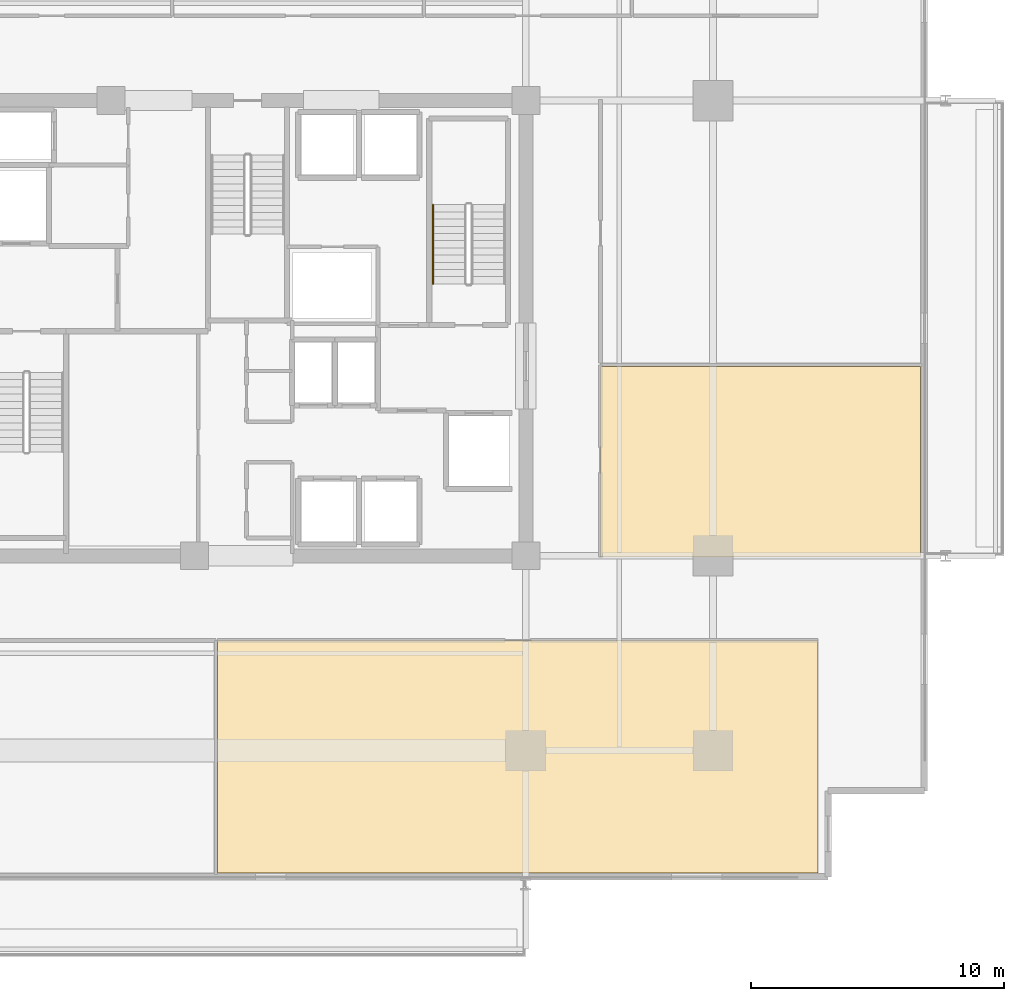
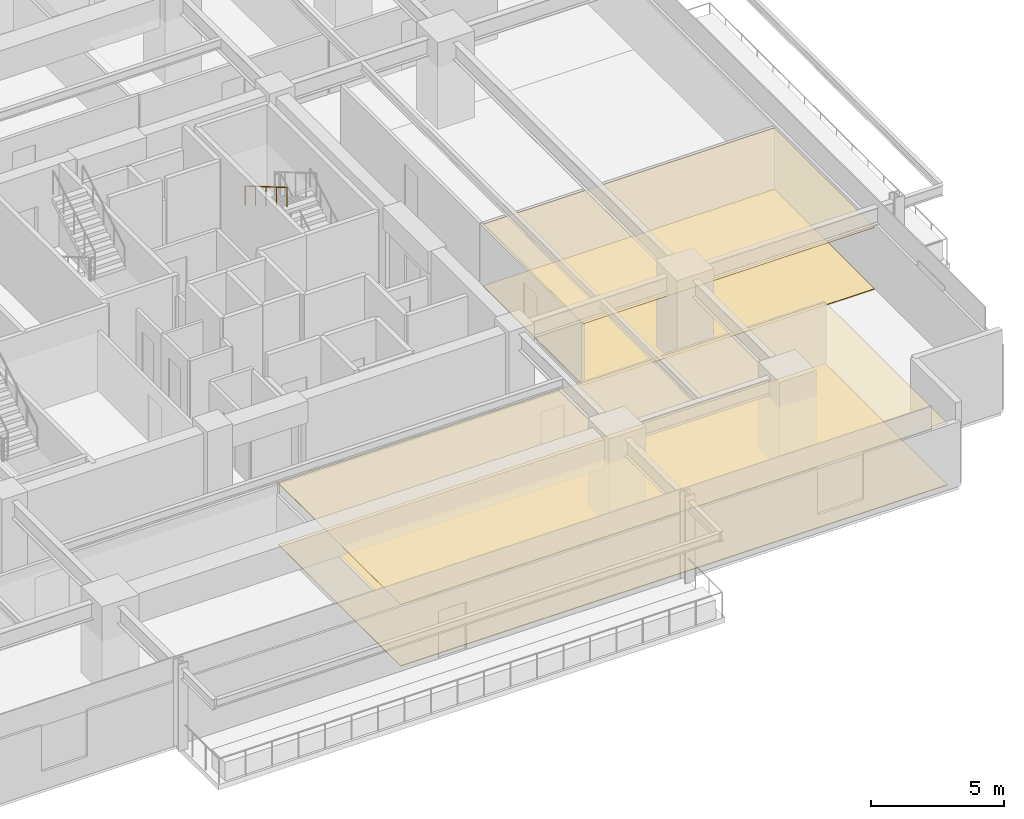
# One storey, part 19 of 21: 4 coverings, 1 railing.
"""IFC4 building model written with IfcOpenShell, lengths in metres."""

from ifc_helpers import new_model, si_unit, direction, frame, origin, origin_2d, place, context, subcontext, project, spatial, polyline, circle, outline, extrude, material, layer, layer_set, type_object, element, save


model = new_model("IFC4")

# Units and contexts
model_context = context("Model", 3, precision=1e-05, world=origin(), true_north=direction((0.0, 1.0)))
body_context = subcontext(model_context, "Body", "Model", "MODEL_VIEW")
ifc_project = project(units=[si_unit("LENGTHUNIT", "METRE"), si_unit("AREAUNIT", "SQUARE_METRE"), si_unit("VOLUMEUNIT", "CUBIC_METRE"), si_unit("PLANEANGLEUNIT", "RADIAN"), si_unit("MASSUNIT", "GRAM", prefix="KILO")], contexts=[model_context])

# Site, building, storey
site_placement = place(None, origin())
site = spatial("IfcSite", under=ifc_project, at=site_placement, CompositionType="ELEMENT")
building_placement = place(site_placement, origin())
building = spatial("IfcBuilding", under=site, at=building_placement, Name="Kovane Verandah Tower", CompositionType="ELEMENT")
storey_placement = place(building_placement, frame((0.0, 0.0, 176.39990234375)))
storey = spatial("IfcBuildingStorey", under=building, at=storey_placement, Name="L41", CompositionType="ELEMENT", Elevation=176.39990234375)

# Coverings
ifc_material_1 = material(Name="Perforated Acoustic Mineral-Fibre Ceiling Tile", Category="gypsum")
ifc_layer_1 = layer(ifc_material_1, 0.02490234375)
ifc_layer_set_1 = layer_set([ifc_layer_1], Name="Perforated Acoustic Mineral-Fibre Ceiling Tile")
covering_type_1 = type_object("IfcCoveringType", Name="CV-CEIL-25", PredefinedType="CEILING", material=ifc_layer_set_1)
covering_1_placement = place(storey_placement, frame((0.0, 0.0, 2.8251953125)))
element("IfcCovering", 1, at=covering_1_placement, inside=storey, type_object=covering_type_1, Name="L41 Meeting Room S2 Acoustic Ceiling", PredefinedType="CEILING", context=body_context, shape_type="SweptSolid", body=[
    extrude(outline(polyline([(38.8154296875, 5.955078125), (62.5556640625, 5.955078125), (62.5556640625, 15.14990234375), (38.8154296875, 15.14990234375), (38.8154296875, 5.955078125)])), origin(), (0.0, 0.0, 1.0), 0.02490234375),
])
covering_2_placement = place(storey_placement, frame((0.0, 0.0, 2.8251953125)))
element("IfcCovering", 2, at=covering_2_placement, inside=storey, type_object=covering_type_1, Name="L41 Breakout Pantry E1 Acoustic Ceiling", PredefinedType="CEILING", context=body_context, shape_type="SweptSolid", body=[
    extrude(outline(polyline([(53.949951171875, 18.449951171875), (66.605712890625, 18.449951171875), (66.605712890625, 25.98193359375), (53.949951171875, 25.98193359375), (53.949951171875, 18.449951171875)])), origin(), (0.0, 0.0, 1.0), 0.02490234375),
])
ifc_material_2 = material(Name="Polished Terrazzo and Raised-Access Carpet Tile Finish", Category="concrete")
ifc_layer_2 = layer(ifc_material_2, 0.030029296875)
ifc_layer_set_2 = layer_set([ifc_layer_2], Name="Polished Terrazzo and Raised-Access Carpet Tile Finish")
covering_type_2 = type_object("IfcCoveringType", Name="CV-FLOR-30", PredefinedType="FLOORING", material=ifc_layer_set_2)
covering_3_placement = place(storey_placement, origin())
element("IfcCovering", 3, at=covering_3_placement, inside=storey, type_object=covering_type_2, Name="L41 Meeting Room S2 Floor Finish", PredefinedType="FLOORING", context=body_context, shape_type="SweptSolid", body=[
    extrude(outline(polyline([(38.8154296875, 5.955078125), (62.5556640625, 5.955078125), (62.5556640625, 15.14990234375), (38.8154296875, 15.14990234375), (38.8154296875, 5.955078125)])), origin(), (0.0, 0.0, 1.0), 0.030029296875),
])
covering_4_placement = place(storey_placement, origin())
element("IfcCovering", 4, at=covering_4_placement, inside=storey, type_object=covering_type_2, Name="L41 Breakout Pantry E1 Floor Finish", PredefinedType="FLOORING", context=body_context, shape_type="SweptSolid", body=[
    extrude(outline(polyline([(53.949951171875, 18.449951171875), (66.605712890625, 18.449951171875), (66.605712890625, 25.98193359375), (53.949951171875, 25.98193359375), (53.949951171875, 18.449951171875)])), origin(), (0.0, 0.0, 1.0), 0.030029296875),
])

# Railing
ifc_material_3 = material(Name="Brushed Stainless Steel Handrail", Category="steel")
railing_type = type_object("IfcRailingType", Name="RL-HAND-920", PredefinedType="HANDRAIL", material=ifc_material_3)
railing_placement = place(storey_placement, frame((47.330078125, 32.385009765625, 2.166748046875)))
element("IfcRailing", 5, at=railing_placement, inside=storey, type_object=railing_type, Name="L41 ST-02 stair handrail 2", PredefinedType="HANDRAIL", context=body_context, shape_type="SweptSolid", body=[
    extrude(circle(Radius=0.02392578125, at=origin_2d()), frame((0.0, 0.0, 0.8759765625), z_axis=(0.0, -0.863239559939, 0.504794475164), x_axis=(1.0, 0.0, 0.0)), (0.0, 0.0, 1.0), 3.631591796875),
    extrude(circle(Radius=0.02099609375, at=origin_2d()), origin(), (0.0, 0.0, 1.0), 0.851806640625),
    extrude(circle(Radius=0.02099609375, at=origin_2d()), frame((0.0, -0.78369140625, 0.458251953125)), (0.0, 0.0, 1.0), 0.851806640625),
    extrude(circle(Radius=0.02099609375, at=origin_2d()), frame((0.0, -1.5673828125, 0.91650390625)), (0.0, 0.0, 1.0), 0.851806640625),
    extrude(circle(Radius=0.02099609375, at=origin_2d()), frame((0.0, -2.351318359375, 1.375)), (0.0, 0.0, 1.0), 0.851806640625),
    extrude(circle(Radius=0.02099609375, at=origin_2d()), frame((0.0, -3.135009765625, 1.833251953125)), (0.0, 0.0, 1.0), 0.851806640625),
])

save(model, "model.ifc")
